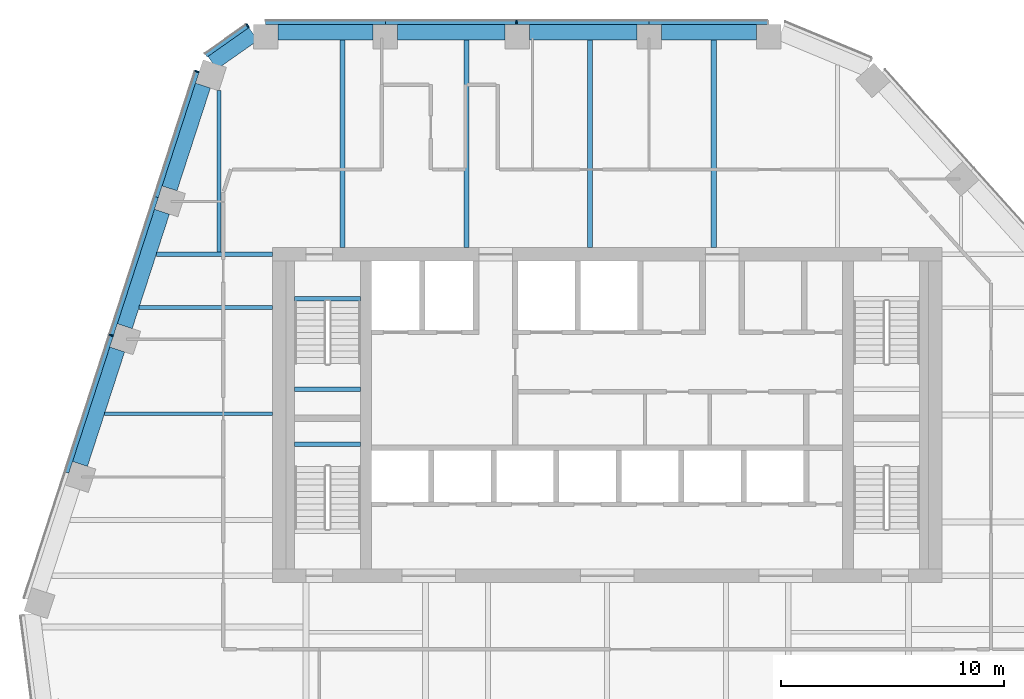
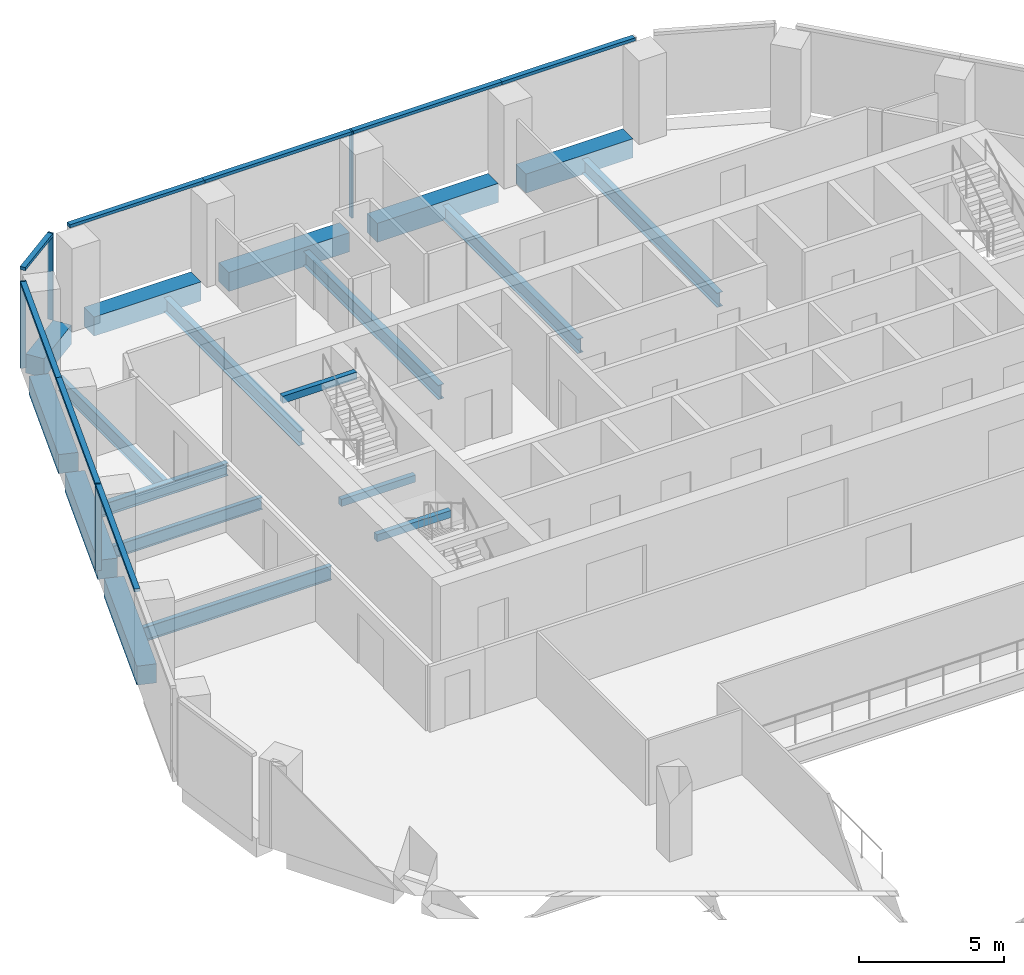
# One storey, part 6 of 15: 19 beams, 12 members, 3 elements without a shape of their own.
"""IFC4 building model written with IfcOpenShell, lengths in metres."""

from ifc_helpers import new_model, si_unit, direction, frame, origin, origin_2d, place, context, subcontext, project, spatial, rectangle, i_section, extrude, material, layer, layer_set, material_profile, profile_set, type_object, element, aggregate, save


model = new_model("IFC4")

# Units and contexts
model_context = context("Model", 3, precision=1e-05, world=origin(), true_north=direction((0.0, 1.0)))
body_context = subcontext(model_context, "Body", "Model", "MODEL_VIEW")
ifc_project = project(units=[si_unit("LENGTHUNIT", "METRE"), si_unit("AREAUNIT", "SQUARE_METRE"), si_unit("VOLUMEUNIT", "CUBIC_METRE"), si_unit("PLANEANGLEUNIT", "RADIAN"), si_unit("MASSUNIT", "GRAM", prefix="KILO")], contexts=[model_context])

# Site, building, storey
site_placement = place(None, origin())
site = spatial("IfcSite", under=ifc_project, at=site_placement, CompositionType="ELEMENT")
building_placement = place(site_placement, origin())
building = spatial("IfcBuilding", under=site, at=building_placement, Name="Isthmus Gate Tower", CompositionType="ELEMENT")
storey_placement = place(building_placement, frame((0.0, 0.0, 227.25)))
storey = spatial("IfcBuildingStorey", under=building, at=storey_placement, Name="L57", CompositionType="ELEMENT", Elevation=227.25)

# Curtain wall, member
ifc_material_1 = material(Name="Aluminium, pale champagne anodised", Category="aluminium")
ifc_layer = layer(ifc_material_1, 0.199951171875)
ifc_layer_set = layer_set([ifc_layer], Name="CW-1 UNITISED CURTAIN WALL 200 DEEP")
curtain_wall_type = type_object("IfcCurtainWallType", Name="CW-1 UNITISED CURTAIN WALL 200 DEEP", PredefinedType="NOTDEFINED", material=ifc_layer_set)
curtain_wall_1_placement = place(storey_placement, origin())
curtain_wall_1 = element("IfcCurtainWall", 1, at=curtain_wall_1_placement, inside=storey, type_object=curtain_wall_type, Name="CW-1 N L57", PredefinedType="NOTDEFINED")
ifc_material_2 = material(Name="Aluminium, pale champagne anodised", Category="aluminium")
ifc_material_profile_1 = material_profile(ifc_material_2, rectangle(XDim=0.06005859375, YDim=0.199951171875, at=origin_2d()), Name="60x200")
ifc_profile_set_1 = profile_set([ifc_material_profile_1], Name="Aluminium, pale champagne anodised")
member_type_1 = type_object("IfcMemberType", Name="CW-1 MULLION 60 X 200", PredefinedType="MULLION", material=ifc_profile_set_1)
member_1_placement = place(storey_placement, frame((-4.06005859375, 25.10009765625, 0.0), z_axis=(0.0, 0.0, 1.0), x_axis=(-1.0, 0.0, 0.0)))
member_1 = element("IfcMember", 2, at=member_1_placement, type_object=member_type_1, Name="CW-1 mullion", PredefinedType="MULLION", context=body_context, shape_type="SweptSolid", body=[
    extrude(rectangle(XDim=0.06005859375, YDim=0.199951171875, at=origin_2d()), origin(), (0.0, 0.0, 1.0), 3.64990234375),
])

curtain_wall_2_placement = place(storey_placement, origin())
curtain_wall_2 = element("IfcCurtainWall", 3, at=curtain_wall_2_placement, inside=storey, type_object=curtain_wall_type, Name="CW-1 N-NW L57", PredefinedType="NOTDEFINED")
member_2_placement = place(storey_placement, frame((-16.10595703125, 24.943115234375, 0.0), z_axis=(0.0, 0.0, 1.0), x_axis=(-0.81785959165, -0.57541783805, 0.0)))
member_2 = element("IfcMember", 4, at=member_2_placement, type_object=member_type_1, Name="CW-1 mullion", PredefinedType="MULLION", context=body_context, shape_type="SweptSolid", body=[
    extrude(rectangle(XDim=0.06005859375, YDim=0.199951171875, at=origin_2d()), origin(), (0.0, 0.0, 1.0), 3.64990234375),
])

# Curtain wall, members
curtain_wall_3_placement = place(storey_placement, origin())
curtain_wall_3 = element("IfcCurtainWall", 5, at=curtain_wall_3_placement, inside=storey, type_object=curtain_wall_type, Name="CW-1 NW L57", PredefinedType="NOTDEFINED")
member_3_placement = place(storey_placement, frame((-18.37841796875, 22.894287109375, 0.0), z_axis=(0.0, 0.0, 1.0), x_axis=(-0.309016994375, -0.951056516295, 0.0)))
member_3 = element("IfcMember", 6, at=member_3_placement, type_object=member_type_1, Name="CW-1 mullion", PredefinedType="MULLION", context=body_context, shape_type="SweptSolid", body=[
    extrude(rectangle(XDim=0.06005859375, YDim=0.199951171875, at=origin_2d()), origin(), (0.0, 0.0, 1.0), 3.64990234375),
])
member_4_placement = place(storey_placement, frame((-22.220703125, 11.069091796875, 0.0), z_axis=(0.0, 0.0, 1.0), x_axis=(-0.309016994375, -0.951056516295, 0.0)))
member_4 = element("IfcMember", 7, at=member_4_placement, type_object=member_type_1, Name="CW-1 mullion", PredefinedType="MULLION", context=body_context, shape_type="SweptSolid", body=[
    extrude(rectangle(XDim=0.06005859375, YDim=0.199951171875, at=origin_2d()), origin(), (0.0, 0.0, 1.0), 3.64990234375),
])

# Member
ifc_material_3 = material(Name="Aluminium, pale champagne anodised", Category="aluminium")
ifc_material_profile_2 = material_profile(ifc_material_3, rectangle(XDim=0.199951171875, YDim=0.1298828125, at=origin_2d()), Name="200x130")
ifc_profile_set_2 = profile_set([ifc_material_profile_2], Name="Aluminium, pale champagne anodised")
member_type_2 = type_object("IfcMemberType", Name="CW-1 TRANSOM 200 X 130", PredefinedType="USERDEFINED", material=ifc_profile_set_2)
member_5_placement = place(storey_placement, frame((7.18115234375, 25.10009765625, 3.5849609375), z_axis=(-1.0, 0.0, 0.0), x_axis=(0.0, -1.0, 0.0)))
member_5 = element("IfcMember", 8, at=member_5_placement, type_object=member_type_2, Name="CW-1 transom", ObjectType="TRANSOM", PredefinedType="USERDEFINED", context=body_context, shape_type="SweptSolid", body=[
    extrude(rectangle(XDim=0.199951171875, YDim=0.1298828125, at=origin_2d()), origin(), (0.0, 0.0, 1.0), 5.300537109375),
])

member_6_placement = place(storey_placement, frame((1.880615234375, 25.10009765625, 3.5849609375), z_axis=(-1.0, 0.0, 0.0), x_axis=(0.0, -1.0, 0.0)))
member_6 = element("IfcMember", 9, at=member_6_placement, type_object=member_type_2, Name="CW-1 transom", ObjectType="TRANSOM", PredefinedType="USERDEFINED", context=body_context, shape_type="SweptSolid", body=[
    extrude(rectangle(XDim=0.199951171875, YDim=0.1298828125, at=origin_2d()), origin(), (0.0, 0.0, 1.0), 5.91064453125),
])

member_7_placement = place(storey_placement, frame((-4.090087890625, 25.10009765625, 3.5849609375), z_axis=(-1.0, 0.0, 0.0), x_axis=(0.0, -1.0, 0.0)))
member_7 = element("IfcMember", 10, at=member_7_placement, type_object=member_type_2, Name="CW-1 transom", ObjectType="TRANSOM", PredefinedType="USERDEFINED", context=body_context, shape_type="SweptSolid", body=[
    extrude(rectangle(XDim=0.199951171875, YDim=0.1298828125, at=origin_2d()), origin(), (0.0, 0.0, 1.0), 5.8505859375),
])

member_8_placement = place(storey_placement, frame((-9.940673828125, 25.10009765625, 3.5849609375), z_axis=(-1.0, 0.0, 0.0), x_axis=(0.0, -1.0, 0.0)))
member_8 = element("IfcMember", 11, at=member_8_placement, type_object=member_type_2, Name="CW-1 transom", ObjectType="TRANSOM", PredefinedType="USERDEFINED", context=body_context, shape_type="SweptSolid", body=[
    extrude(rectangle(XDim=0.199951171875, YDim=0.1298828125, at=origin_2d()), origin(), (0.0, 0.0, 1.0), 5.360595703125),
])

aggregate(curtain_wall_1, [member_5, member_6, member_1, member_7, member_8])

member_9_placement = place(storey_placement, frame((-16.130615234375, 24.92578125, 3.5849609375), z_axis=(-0.817868595604, -0.575405040233, 0.0), x_axis=(0.575405040233, -0.817868595604, 0.0)))
member_9 = element("IfcMember", 12, at=member_9_placement, type_object=member_type_2, Name="CW-1 transom", ObjectType="TRANSOM", PredefinedType="USERDEFINED", context=body_context, shape_type="SweptSolid", body=[
    extrude(rectangle(XDim=0.199951171875, YDim=0.1298828125, at=origin_2d()), origin(), (0.0, 0.0, 1.0), 2.258544921875),
])

aggregate(curtain_wall_2, [member_2, member_9])

member_10_placement = place(storey_placement, frame((-18.3876953125, 22.86572265625, 3.5849609375), z_axis=(-0.309021311898, -0.951055113436, 0.0), x_axis=(0.951055113436, -0.309021311898, 0.0)))
member_10 = element("IfcMember", 13, at=member_10_placement, type_object=member_type_2, Name="CW-1 transom", ObjectType="TRANSOM", PredefinedType="USERDEFINED", context=body_context, shape_type="SweptSolid", body=[
    extrude(rectangle(XDim=0.199951171875, YDim=0.1298828125, at=origin_2d()), origin(), (0.0, 0.0, 1.0), 5.8818359375),
])

member_11_placement = place(storey_placement, frame((-20.205322265625, 17.271728515625, 3.5849609375), z_axis=(-0.309020593362, -0.951055346906, 0.0), x_axis=(0.951055346906, -0.309020593362, 0.0)))
member_11 = element("IfcMember", 14, at=member_11_placement, type_object=member_type_2, Name="CW-1 transom", ObjectType="TRANSOM", PredefinedType="USERDEFINED", context=body_context, shape_type="SweptSolid", body=[
    extrude(rectangle(XDim=0.199951171875, YDim=0.1298828125, at=origin_2d()), origin(), (0.0, 0.0, 1.0), 6.49169921875),
])

member_12_placement = place(storey_placement, frame((-22.22998046875, 11.04052734375, 3.5849609375), z_axis=(-0.309010542947, -0.951058612467, 0.0), x_axis=(0.951058612467, -0.309010542947, 0.0)))
member_12 = element("IfcMember", 15, at=member_12_placement, type_object=member_type_2, Name="CW-1 transom", ObjectType="TRANSOM", PredefinedType="USERDEFINED", context=body_context, shape_type="SweptSolid", body=[
    extrude(rectangle(XDim=0.199951171875, YDim=0.1298828125, at=origin_2d()), origin(), (0.0, 0.0, 1.0), 6.431884765625),
])

aggregate(curtain_wall_3, [member_3, member_10, member_11, member_4, member_12])

# Beams
ifc_material_4 = material(Name="Concrete f'c 50 MPa", Category="concrete")
ifc_material_profile_3 = material_profile(ifc_material_4, rectangle(XDim=0.699951171875, YDim=0.800048828125, at=origin_2d()), Name="RC 700X800")
ifc_profile_set_3 = profile_set([ifc_material_profile_3], Name="Concrete f'c 50 MPa")
beam_type_1 = type_object("IfcBeamType", Name="RC SPANDREL 700 X 800", PredefinedType="SPANDREL", material=ifc_profile_set_3)
for number, where, z_axis, x_axis, name in (
    (16, (-23.61962890625, 5.307373046875, -0.39990234375), (0.309032831924, 0.951051370218, 0.0), (-0.951051370218, 0.309032831924, 0.0), "str-spandrel-L57-22"),
    (17, (-21.613525390625, 11.481689453125, -0.39990234375), (0.309032831924, 0.951051370218, 0.0), (-0.951051370218, 0.309032831924, 0.0), "str-spandrel-L57-23"),
):
    element("IfcBeam", number, at=place(storey_placement, frame(where, z_axis=z_axis, x_axis=x_axis)), inside=storey, type_object=beam_type_1, Name=name, PredefinedType="SPANDREL", context=body_context, shape_type="SweptSolid", body=[
        extrude(rectangle(XDim=0.699951171875, YDim=0.800048828125, at=origin_2d()), origin(), (0.0, 0.0, 1.0), 5.391845703125),
    ])
beam_1_placement = place(storey_placement, frame((-19.607421875, 17.65576171875, -0.39990234375), z_axis=(0.309033626624, 0.951051111989, 0.0), x_axis=(-0.951051111989, 0.309033626624, 0.0)))
element("IfcBeam", 18, at=beam_1_placement, inside=storey, type_object=beam_type_1, Name="str-spandrel-L57-24", PredefinedType="SPANDREL", context=body_context, shape_type="SweptSolid", body=[
    extrude(rectangle(XDim=0.699951171875, YDim=0.800048828125, at=origin_2d()), origin(), (0.0, 0.0, 1.0), 4.842041015625),
])
beam_2_placement = place(storey_placement, frame((-17.68798828125, 23.27978515625, -0.39990234375), z_axis=(0.817855686701, 0.575423388237, 0.0), x_axis=(-0.575423388237, 0.817855686701, 0.0)))
element("IfcBeam", 19, at=beam_2_placement, inside=storey, type_object=beam_type_1, Name="str-spandrel-L57-25", PredefinedType="SPANDREL", context=body_context, shape_type="SweptSolid", body=[
    extrude(rectangle(XDim=0.699951171875, YDim=0.800048828125, at=origin_2d()), origin(), (0.0, 0.0, 1.0), 2.24560546875),
])
beam_3_placement = place(storey_placement, frame((-14.751220703125, 24.64990234375, -0.39990234375), z_axis=(1.0, 0.0, 0.0), x_axis=(0.0, 1.0, 0.0)))
element("IfcBeam", 20, at=beam_3_placement, inside=storey, type_object=beam_type_1, Name="str-spandrel-L57-26", PredefinedType="SPANDREL", context=body_context, shape_type="SweptSolid", body=[
    extrude(rectangle(XDim=0.699951171875, YDim=0.800048828125, at=origin_2d()), origin(), (0.0, 0.0, 1.0), 4.260498046875),
])
for number, where, z_axis, x_axis, name in (
    (21, (-9.390625, 24.64990234375, -0.39990234375), (1.0, 0.0, 0.0), (0.0, 1.0, 0.0), "str-spandrel-L57-27"),
    (22, (-3.47998046875, 24.64990234375, -0.39990234375), (1.0, 0.0, 0.0), (0.0, 1.0, 0.0), "str-spandrel-L57-28"),
):
    element("IfcBeam", number, at=place(storey_placement, frame(where, z_axis=z_axis, x_axis=x_axis)), inside=storey, type_object=beam_type_1, Name=name, PredefinedType="SPANDREL", context=body_context, shape_type="SweptSolid", body=[
        extrude(rectangle(XDim=0.699951171875, YDim=0.800048828125, at=origin_2d()), origin(), (0.0, 0.0, 1.0), 4.810546875),
    ])
beam_4_placement = place(storey_placement, frame((2.430419921875, 24.64990234375, -0.39990234375), z_axis=(1.0, 0.0, 0.0), x_axis=(0.0, 1.0, 0.0)))
element("IfcBeam", 23, at=beam_4_placement, inside=storey, type_object=beam_type_1, Name="str-spandrel-L57-29", PredefinedType="SPANDREL", context=body_context, shape_type="SweptSolid", body=[
    extrude(rectangle(XDim=0.699951171875, YDim=0.800048828125, at=origin_2d()), origin(), (0.0, 0.0, 1.0), 4.2607421875),
])
ifc_material_5 = material(Name="Concrete f'c 40 MPa", Category="concrete")
ifc_material_profile_4 = material_profile(ifc_material_5, rectangle(XDim=0.199951171875, YDim=0.300048828125, at=origin_2d()), Name="STAIR LANDING BEAM RC 200 X 300")
ifc_profile_set_4 = profile_set([ifc_material_profile_4], Name="Concrete f'c 40 MPa")
beam_type_2 = type_object("IfcBeamType", Name="STAIR LANDING BEAM RC 200 X 300", PredefinedType="BEAM", material=ifc_profile_set_4)
for number, where, z_axis, x_axis, name in (
    (24, (-14.0, 8.64990234375, 1.47509765625), (1.0, 0.0, 0.0), (0.0, 1.0, 0.0), "L57 ST1 landing beam 1"),
    (25, (-14.0, 12.7001953125, 3.35009765625), (1.0, 0.0, 0.0), (0.0, 1.0, 0.0), "L57 ST1 floor-edge seat beam"),
    (26, (-14.0, 6.199951171875, 1.47509765625), (1.0, 0.0, 0.0), (0.0, 1.0, 0.0), "L57 ST7 landing beam 1"),
):
    element("IfcBeam", number, at=place(storey_placement, frame(where, z_axis=z_axis, x_axis=x_axis)), inside=storey, type_object=beam_type_2, Name=name, PredefinedType="BEAM", context=body_context, shape_type="SweptSolid", body=[
        extrude(rectangle(XDim=0.199951171875, YDim=0.300048828125, at=origin_2d()), origin(), (0.0, 0.0, 1.0), 2.949951171875),
    ])
ifc_material_6 = material(Name="Structural steel ASTM A992 Gr 50", Category="steel")
ifc_material_profile_5 = material_profile(ifc_material_6, i_section(OverallWidth=0.1650390625, OverallDepth=0.52392578125, WebThickness=0.009521484375, FlangeThickness=0.010986328125, at=origin_2d()), Name="W21X44")
ifc_profile_set_5 = profile_set([ifc_material_profile_5], Name="Structural steel ASTM A992 Gr 50")
beam_type_3 = type_object("IfcBeamType", Name="STEEL FLOOR BEAM W21X44", PredefinedType="JOIST", material=ifc_profile_set_5)
beam_5_placement = place(storey_placement, frame((-20.973388671875, 12.319091796875, -0.411865234375), z_axis=(1.0, 0.0, 0.0), x_axis=(0.0, 1.0, 0.0)))
element("IfcBeam", 27, at=beam_5_placement, inside=storey, type_object=beam_type_3, Name="str-beam-L57-00-02", PredefinedType="JOIST", context=body_context, shape_type="SweptSolid", body=[
    extrude(i_section(OverallWidth=0.1650390625, OverallDepth=0.52392578125, WebThickness=0.009521484375, FlangeThickness=0.010986328125, at=origin_2d()), origin(), (0.0, 0.0, 1.0), 5.973388671875),
])
ifc_material_7 = material(Name="Structural steel ASTM A992 Gr 50", Category="steel")
ifc_material_profile_6 = material_profile(ifc_material_7, i_section(OverallWidth=0.177734375, OverallDepth=0.60009765625, WebThickness=0.009521484375, FlangeThickness=0.0126953125, at=origin_2d()), Name="W24X55")
ifc_profile_set_6 = profile_set([ifc_material_profile_6], Name="Structural steel ASTM A992 Gr 50")
beam_type_4 = type_object("IfcBeamType", Name="STEEL FLOOR BEAM W24X55", PredefinedType="JOIST", material=ifc_profile_set_6)
beam_6_placement = place(storey_placement, frame((-22.520751953125, 7.55712890625, -0.449951171875), z_axis=(1.0, 0.0, 0.0), x_axis=(0.0, 1.0, 0.0)))
element("IfcBeam", 28, at=beam_6_placement, inside=storey, type_object=beam_type_4, Name="str-beam-L57-00-01", PredefinedType="JOIST", context=body_context, shape_type="SweptSolid", body=[
    extrude(i_section(OverallWidth=0.177734375, OverallDepth=0.60009765625, WebThickness=0.009521484375, FlangeThickness=0.0126953125, at=origin_2d()), origin(), (0.0, 0.0, 1.0), 7.520751953125),
])
beam_7_placement = place(storey_placement, frame((-17.394287109375, 14.8046875, -0.449951171875), z_axis=(0.0, 1.0, 0.0), x_axis=(-1.0, 0.0, 0.0)))
element("IfcBeam", 29, at=beam_7_placement, inside=storey, type_object=beam_type_4, Name="str-beam-L57-05-00", PredefinedType="JOIST", context=body_context, shape_type="SweptSolid", body=[
    extrude(i_section(OverallWidth=0.177734375, OverallDepth=0.60009765625, WebThickness=0.009521484375, FlangeThickness=0.0126953125, at=origin_2d()), origin(), (0.0, 0.0, 1.0), 7.235107421875),
])
ifc_material_8 = material(Name="Structural steel ASTM A992 Gr 50", Category="steel")
ifc_material_profile_7 = material_profile(ifc_material_8, i_section(OverallWidth=0.228515625, OverallDepth=0.603271484375, WebThickness=0.010986328125, FlangeThickness=0.014404296875, at=origin_2d()), Name="W24X68")
ifc_profile_set_7 = profile_set([ifc_material_profile_7], Name="Structural steel ASTM A992 Gr 50")
beam_type_5 = type_object("IfcBeamType", Name="STEEL FLOOR BEAM W24X68", PredefinedType="JOIST", material=ifc_profile_set_7)
for number, where, z_axis, x_axis, name in (
    (30, (-11.8515625, 15.0, -0.45166015625), (0.0, 1.0, 0.0), (-1.0, 0.0, 0.0), "str-beam-L57-05-01"),
    (31, (-6.308837890625, 15.0, -0.45166015625), (0.0, 1.0, 0.0), (-1.0, 0.0, 0.0), "str-beam-L57-05-02"),
    (32, (-0.76611328125, 15.0, -0.45166015625), (0.0, 1.0, 0.0), (-1.0, 0.0, 0.0), "str-beam-L57-05-03"),
    (33, (4.776611328125, 15.0, -0.45166015625), (0.0, 1.0, 0.0), (-1.0, 0.0, 0.0), "str-beam-L57-05-04"),
):
    element("IfcBeam", number, at=place(storey_placement, frame(where, z_axis=z_axis, x_axis=x_axis)), inside=storey, type_object=beam_type_5, Name=name, PredefinedType="JOIST", context=body_context, shape_type="SweptSolid", body=[
        extrude(i_section(OverallWidth=0.228515625, OverallDepth=0.603271484375, WebThickness=0.010986328125, FlangeThickness=0.014404296875, at=origin_2d()), origin(), (0.0, 0.0, 1.0), 9.300048828125),
    ])
ifc_material_9 = material(Name="Structural steel ASTM A992 Gr 50", Category="steel")
ifc_material_profile_8 = material_profile(ifc_material_9, i_section(OverallWidth=0.20947265625, OverallDepth=0.533447265625, WebThickness=0.009521484375, FlangeThickness=0.015869140625, at=origin_2d()), Name="W21X62")
ifc_profile_set_8 = profile_set([ifc_material_profile_8], Name="Structural steel ASTM A992 Gr 50")
beam_type_6 = type_object("IfcBeamType", Name="STEEL GIRDER W21X62", PredefinedType="BEAM", material=ifc_profile_set_8)
beam_8_placement = place(storey_placement, frame((-15.0, 14.699951171875, -0.416748046875), z_axis=(-1.0, 0.0, 0.0), x_axis=(0.0, -1.0, 0.0)))
element("IfcBeam", 34, at=beam_8_placement, inside=storey, type_object=beam_type_6, Name="str-girder-L57-11", PredefinedType="BEAM", context=body_context, shape_type="SweptSolid", body=[
    extrude(i_section(OverallWidth=0.20947265625, OverallDepth=0.533447265625, WebThickness=0.009521484375, FlangeThickness=0.015869140625, at=origin_2d()), origin(), (0.0, 0.0, 1.0), 5.19970703125),
])

save(model, "model.ifc")
